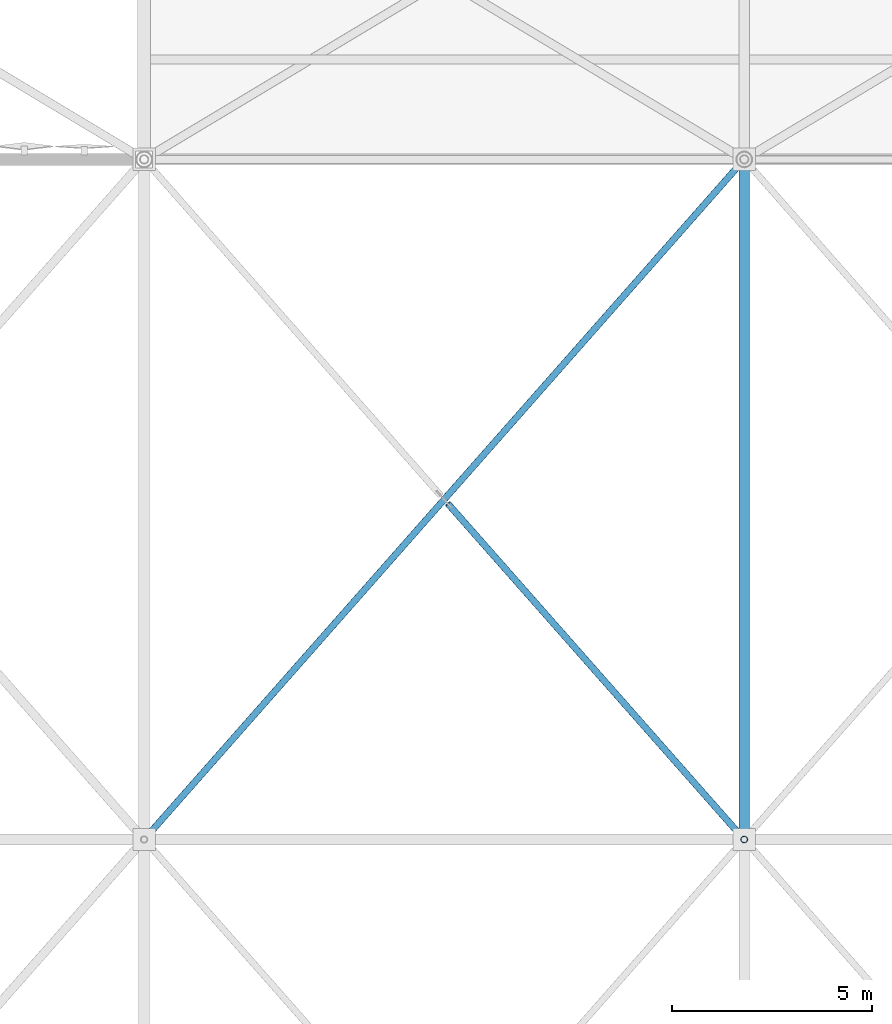
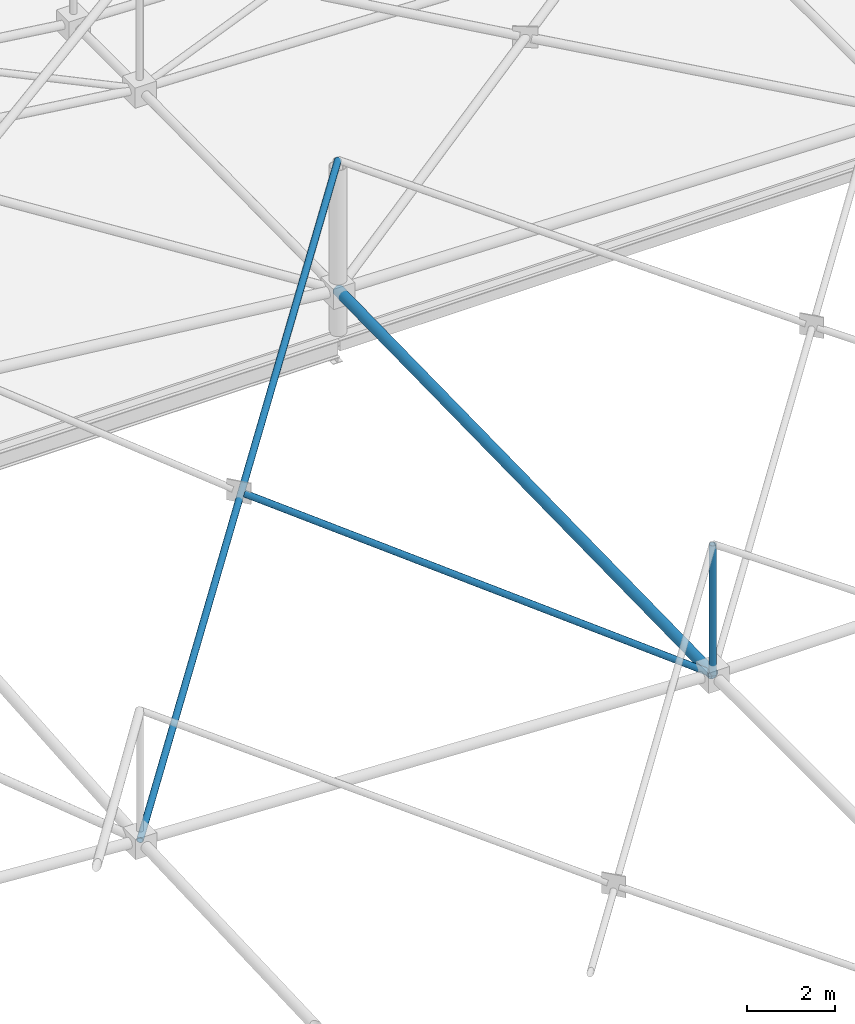
# One storey, part 80 of 224: 4 members.
"""IFC4 building model written with IfcOpenShell, lengths in metres."""

from ifc_helpers import new_model, si_unit, direction, frame, origin, origin_2d, place, context, subcontext, project, spatial, hollow_circle, extrude, material, material_profile, profile_set, type_object, element, save


model = new_model("IFC4")

# Units and contexts
model_context = context("Model", 3, precision=1e-05, world=origin(), true_north=direction((0.0, 1.0)))
body_context = subcontext(model_context, "Body", "Model", "MODEL_VIEW")
ifc_project = project(units=[si_unit("LENGTHUNIT", "METRE"), si_unit("AREAUNIT", "SQUARE_METRE"), si_unit("VOLUMEUNIT", "CUBIC_METRE"), si_unit("PLANEANGLEUNIT", "RADIAN"), si_unit("MASSUNIT", "GRAM", prefix="KILO")], contexts=[model_context])

# Site, building, storey
site_placement = place(None, origin())
site = spatial("IfcSite", under=ifc_project, at=site_placement, CompositionType="ELEMENT")
building_placement = place(site_placement, origin())
building = spatial("IfcBuilding", under=site, at=building_placement, Name="Qamarlyn Nura Convention Centre", CompositionType="ELEMENT")
storey_placement = place(building_placement, frame((0.0, 0.0, 10.800048828125)))
storey = spatial("IfcBuildingStorey", under=building, at=storey_placement, Name="L02", CompositionType="ELEMENT", Elevation=10.800048828125)

# Members
ifc_material = material(Name="Pearl-white PVDF steel ASTM A500 Grade C", Category="steel")
ifc_material_profile_1 = material_profile(ifc_material, hollow_circle(Radius=0.136474609375, WallThickness=0.012451171875, at=origin_2d()), Name="CHS273X12.5")
ifc_profile_set_1 = profile_set([ifc_material_profile_1], Name="Pearl-white PVDF steel ASTM A500 Grade C")
member_type_1 = type_object("IfcMemberType", Name="SF-BC-MAIN", PredefinedType="CHORD", material=ifc_profile_set_1)
member_1_placement = place(storey_placement, frame((30.0, 86.0, 0.828857421875), z_axis=(0.0, 0.999820912032, 0.018924689253), x_axis=(-1.0, 0.0, 0.0)))
element("IfcMember", 1, at=member_1_placement, inside=storey, type_object=member_type_1, Name="ROOF TRUSS space frame bottom chord Y4-6", PredefinedType="CHORD", context=body_context, shape_type="SweptSolid", body=[
    extrude(hollow_circle(Radius=0.136474609375, WallThickness=0.012451171875, at=origin_2d()), origin(), (0.0, 0.0, 1.0), 17.0029296875),
])
ifc_material_profile_2 = material_profile(ifc_material, hollow_circle(Radius=0.084228515625, WallThickness=0.008056640625, at=origin_2d()), Name="CHS168.3X8")
ifc_profile_set_2 = profile_set([ifc_material_profile_2], Name="Pearl-white PVDF steel ASTM A500 Grade C")
member_type_2 = type_object("IfcMemberType", Name="SF-WEB-STD", PredefinedType="BRACE", material=ifc_profile_set_2)
member_2_placement = place(storey_placement, frame((15.0, 86.0, 1.48046875), z_axis=(0.654845145652, 0.742157831738, 0.142757094415), x_axis=(-0.749837855365, 0.661621637087, 0.0)))
element("IfcMember", 2, at=member_2_placement, inside=storey, type_object=member_type_2, Name="ROOF TRUSS space frame diagonal A 3-6", PredefinedType="BRACE", context=body_context, shape_type="SweptSolid", body=[
    extrude(hollow_circle(Radius=0.084228515625, WallThickness=0.008056640625, at=origin_2d()), origin(), (0.0, 0.0, 1.0), 22.90625),
])
member_3_placement = place(storey_placement, frame((30.0, 86.0, 0.828857421875), z_axis=(-0.645787298161, 0.731896526709, 0.217453994504), x_axis=(-0.749839763829, -0.661619474155, 0.0)))
element("IfcMember", 3, at=member_3_placement, inside=storey, type_object=member_type_2, Name="ROOF TRUSS space frame split diagonal B1 3-6", PredefinedType="BRACE", context=body_context, shape_type="SweptSolid", body=[
    extrude(hollow_circle(Radius=0.084228515625, WallThickness=0.008056640625, at=origin_2d()), origin(), (0.0, 0.0, 1.0), 11.47412109375),
])
member_4_placement = place(storey_placement, frame((30.0, 86.0, 0.828857421875), z_axis=(0.0, 0.0, 1.0), x_axis=(1.0, 0.0, 0.0)))
element("IfcMember", 4, at=member_4_placement, inside=storey, type_object=member_type_2, Name="ROOF TRUSS space frame vertical 4-6", PredefinedType="BRACE", context=body_context, shape_type="SweptSolid", body=[
    extrude(hollow_circle(Radius=0.084228515625, WallThickness=0.008056640625, at=origin_2d()), origin(), (0.0, 0.0, 1.0), 3.60009765625),
])

save(model, "model.ifc")
